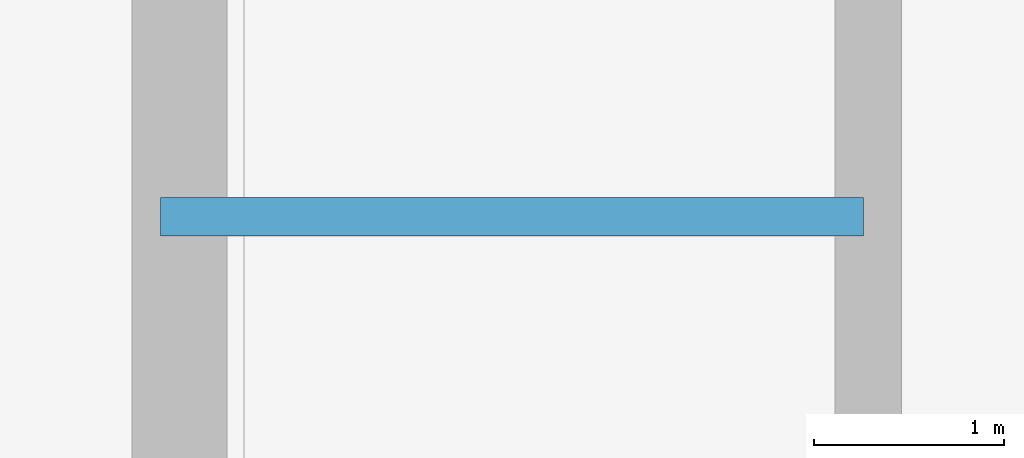
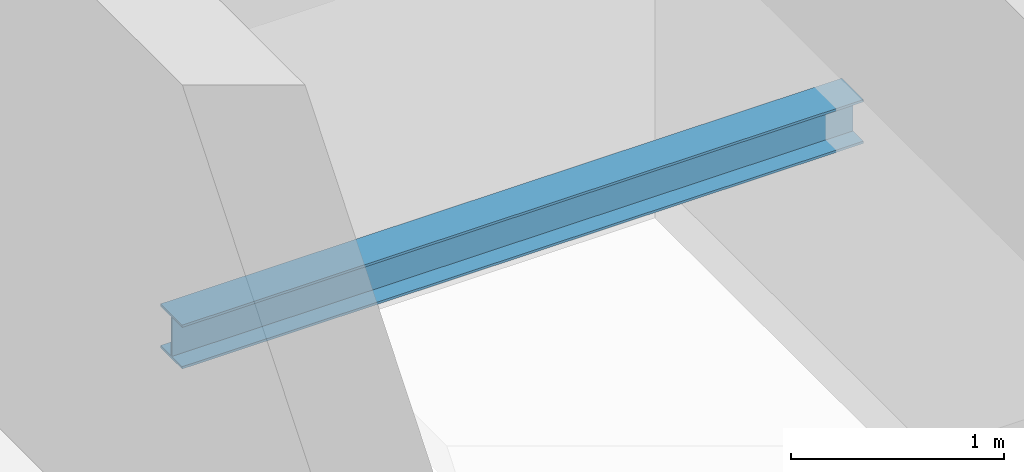
# One storey, part 15 of 34: 1 beam.
"""IFC4 building model written with IfcOpenShell, lengths in metres."""

from ifc_helpers import new_model, si_unit, direction, frame, origin, origin_2d, place, context, subcontext, project, spatial, i_section, extrude, material, material_profile, profile_set, type_object, element, save


model = new_model("IFC4")

# Units and contexts
model_context = context("Model", 3, precision=1e-05, world=origin(), true_north=direction((0.0, 1.0)))
body_context = subcontext(model_context, "Body", "Model", "MODEL_VIEW")
ifc_project = project(units=[si_unit("LENGTHUNIT", "METRE"), si_unit("AREAUNIT", "SQUARE_METRE"), si_unit("VOLUMEUNIT", "CUBIC_METRE"), si_unit("PLANEANGLEUNIT", "RADIAN"), si_unit("MASSUNIT", "GRAM", prefix="KILO")], contexts=[model_context])

# Site, building, storey
site_placement = place(None, origin())
site = spatial("IfcSite", under=ifc_project, at=site_placement, CompositionType="ELEMENT")
building_placement = place(site_placement, origin())
building = spatial("IfcBuilding", under=site, at=building_placement, Name="Veraguas Prism Commons", CompositionType="ELEMENT")
storey_placement = place(building_placement, frame((0.0, 0.0, 191.85009765625)))
storey = spatial("IfcBuildingStorey", under=building, at=storey_placement, Name="L54", CompositionType="ELEMENT", Elevation=191.85009765625)

# Beam
ifc_material = material(Name="Steel ASTM A992 Grade 50", Category="steel")
ifc_material_profile = material_profile(ifc_material, i_section(OverallWidth=0.202880859375, OverallDepth=0.251953125, WebThickness=0.008056640625, FlangeThickness=0.013427734375, at=origin_2d()), Name="W250X58")
ifc_profile_set = profile_set([ifc_material_profile], Name="Steel ASTM A992 Grade 50")
beam_type = type_object("IfcBeamType", Name="Structural Opening Lintel W250x58", PredefinedType="LINTEL", material=ifc_profile_set)
beam_placement = place(storey_placement, frame((17.25, 26.800048828125, 1.298828125), z_axis=(1.0, 0.0, 0.0), x_axis=(0.0, 1.0, 0.0)))
element("IfcBeam", 1, at=beam_placement, inside=storey, type_object=beam_type, Name="Stair ST-01 Half-Landing Support Beam L54-1", PredefinedType="LINTEL", context=body_context, shape_type="SweptSolid", body=[
    extrude(i_section(OverallWidth=0.202880859375, OverallDepth=0.251953125, WebThickness=0.008056640625, FlangeThickness=0.013427734375, at=origin_2d()), origin(), (0.0, 0.0, 1.0), 3.699951171875),
])

save(model, "model.ifc")
